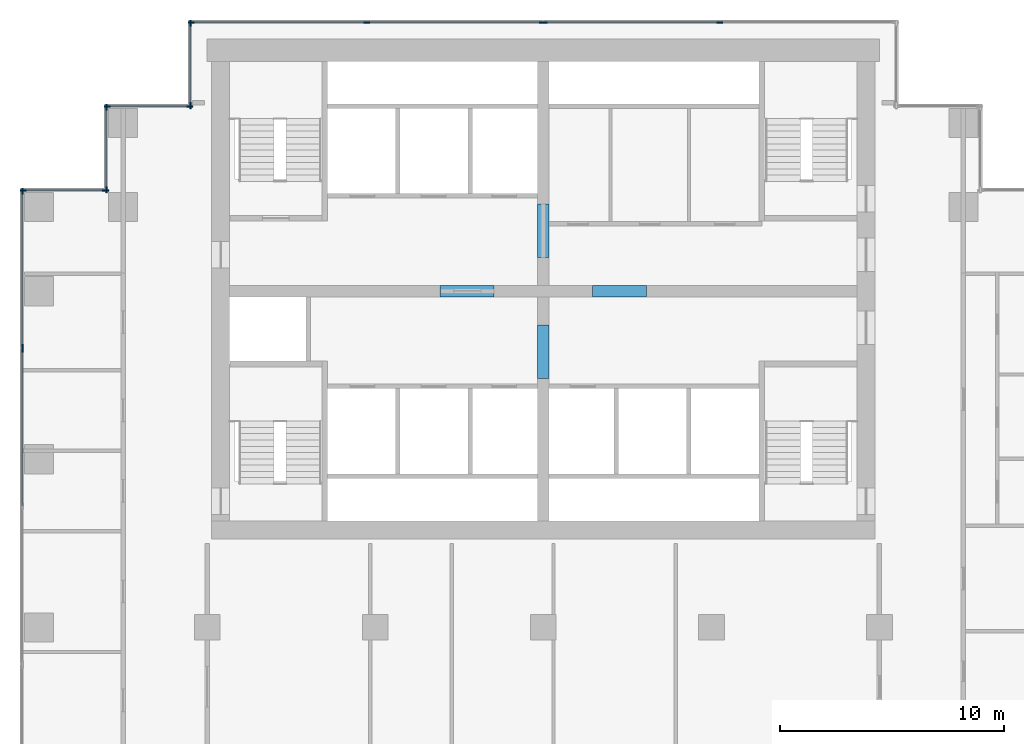
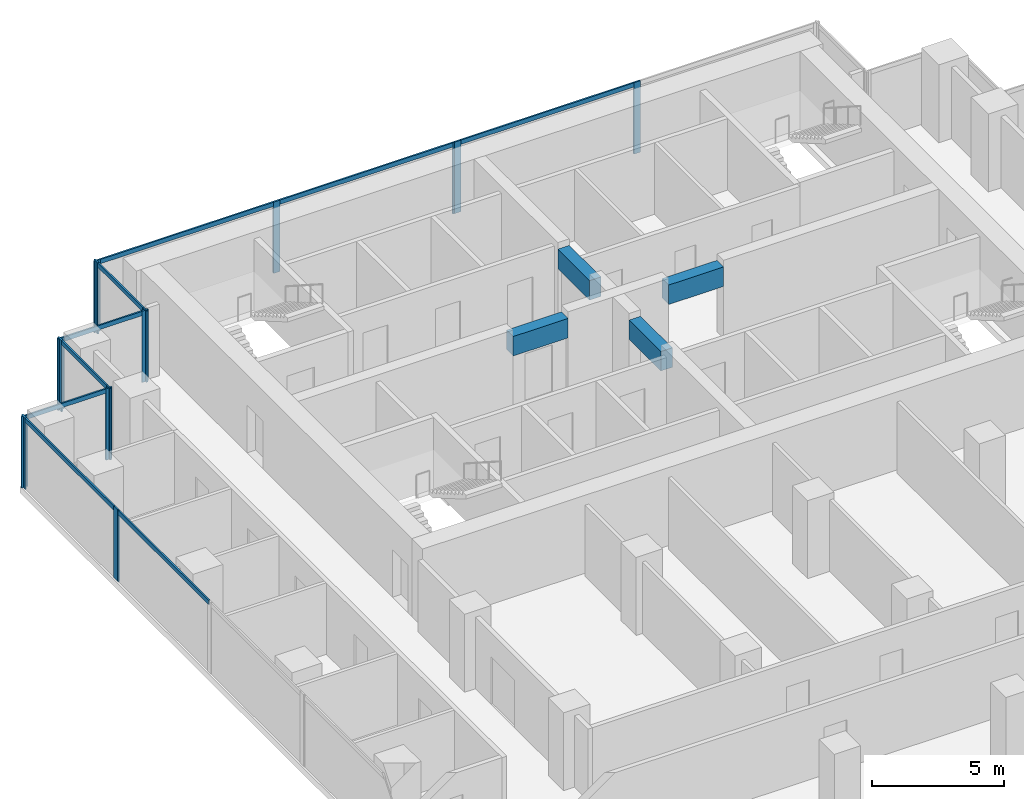
# One storey, part 4 of 10: 25 members, 4 beams, 8 elements without a shape of their own.
"""IFC4 building model written with IfcOpenShell, lengths in metres."""

from ifc_helpers import new_model, si_unit, direction, frame, origin, origin_2d, place, context, subcontext, project, spatial, rectangle, extrude, material, material_profile, profile_set, type_object, element, aggregate, save


model = new_model("IFC4")

# Units and contexts
model_context = context("Model", 3, precision=1e-05, world=origin(), true_north=direction((0.0, 1.0)))
body_context = subcontext(model_context, "Body", "Model", "MODEL_VIEW")
ifc_project = project(units=[si_unit("LENGTHUNIT", "METRE"), si_unit("AREAUNIT", "SQUARE_METRE"), si_unit("VOLUMEUNIT", "CUBIC_METRE"), si_unit("PLANEANGLEUNIT", "RADIAN"), si_unit("MASSUNIT", "GRAM", prefix="KILO")], contexts=[model_context])

# Site, building, storey
site_placement = place(None, origin())
site = spatial("IfcSite", under=ifc_project, at=site_placement, CompositionType="ELEMENT")
building_placement = place(site_placement, origin())
building = spatial("IfcBuilding", under=site, at=building_placement, Name="Pilkhan Gate Tower", CompositionType="ELEMENT")
storey_placement = place(building_placement, frame((0.0, 0.0, 132.39990234375)))
storey = spatial("IfcBuildingStorey", under=building, at=storey_placement, Name="L33", CompositionType="ELEMENT", Elevation=132.39990234375)

# Beams
ifc_material_1 = material(Name="Concrete C60/75", Category="concrete")
ifc_material_profile_1 = material_profile(ifc_material_1, rectangle(XDim=0.5, YDim=0.89990234375, at=origin_2d()), Name="RC 500x900")
ifc_profile_set_1 = profile_set([ifc_material_profile_1], Name="Concrete C60/75")
beam_type = type_object("IfcBeamType", Name="Coupling beam CB90 RC 500x900 C60/75", PredefinedType="LINTEL", material=ifc_profile_set_1)
for number, where, z_axis, x_axis, name in (
    (1, (70.39990234375, 82.5, 2.85009765625), (1.0, 0.0, 0.0), (0.0, 1.0, 0.0), "Coupling beam 1 L33"),
    (2, (77.199951171875, 82.5, 2.85009765625), (1.0, 0.0, 0.0), (0.0, 1.0, 0.0), "Coupling beam 2 L33"),
):
    element("IfcBeam", number, at=place(storey_placement, frame(where, z_axis=z_axis, x_axis=x_axis)), inside=storey, type_object=beam_type, Name=name, PredefinedType="LINTEL", context=body_context, shape_type="SweptSolid", body=[
        extrude(rectangle(XDim=0.5, YDim=0.89990234375, at=origin_2d()), origin(), (0.0, 0.0, 1.0), 2.400146484375),
    ])
for number, where, z_axis, x_axis, name in (
    (3, (75.0, 78.60009765625, 2.85009765625), (0.0, 1.0, 0.0), (-1.0, 0.0, 0.0), "Coupling beam 3 L33"),
    (4, (75.0, 84.0, 2.85009765625), (0.0, 1.0, 0.0), (-1.0, 0.0, 0.0), "Coupling beam 4 L33"),
):
    element("IfcBeam", number, at=place(storey_placement, frame(where, z_axis=z_axis, x_axis=x_axis)), inside=storey, type_object=beam_type, Name=name, PredefinedType="LINTEL", context=body_context, shape_type="SweptSolid", body=[
        extrude(rectangle(XDim=0.5, YDim=0.89990234375, at=origin_2d()), origin(), (0.0, 0.0, 1.0), 2.39990234375),
    ])

# Curtain wall, members
ifc_material_2 = material(Name="Pale anodised aluminium, clear low-iron double glazing", Category="aluminium")
curtain_wall_type = type_object("IfcCurtainWallType", Name="Office unitised curtain wall CW-O1", PredefinedType="USERDEFINED", material=ifc_material_2)
curtain_wall_1_placement = place(storey_placement, origin())
curtain_wall_1 = element("IfcCurtainWall", 5, at=curtain_wall_1_placement, inside=storey, type_object=curtain_wall_type, Name="Office unitised curtain wall CW-O1 L33 N", ObjectType="UNITISED CURTAIN WALL", PredefinedType="USERDEFINED")
ifc_material_3 = material(Name="Pale anodised aluminium", Category="aluminium")
ifc_material_profile_2 = material_profile(ifc_material_3, rectangle(XDim=0.070068359375, YDim=0.27490234375, at=origin_2d()), Name="Mullion 275x70")
ifc_profile_set_2 = profile_set([ifc_material_profile_2], Name="Pale anodised aluminium")
member_type_1 = type_object("IfcMemberType", Name="Mullion CW-O1 275x70", PredefinedType="MULLION", material=ifc_profile_set_2)
member_1_placement = place(storey_placement, frame((59.284912109375, 94.5, 0.0), z_axis=(0.0, 0.0, 1.0), x_axis=(0.0, 1.0, 0.0)))
member_1 = element("IfcMember", 6, at=member_1_placement, type_object=member_type_1, Name="CW-O1 mullion 1", PredefinedType="MULLION", context=body_context, shape_type="SweptSolid", body=[
    extrude(rectangle(XDim=0.070068359375, YDim=0.27490234375, at=origin_2d()), origin(), (0.0, 0.0, 1.0), 3.300048828125),
])
member_2_placement = place(storey_placement, frame((67.125, 94.5, 0.0), z_axis=(0.0, 0.0, 1.0), x_axis=(0.0, 1.0, 0.0)))
member_2 = element("IfcMember", 7, at=member_2_placement, type_object=member_type_1, Name="CW-O1 mullion 2", PredefinedType="MULLION", context=body_context, shape_type="SweptSolid", body=[
    extrude(rectangle(XDim=0.070068359375, YDim=0.27490234375, at=origin_2d()), origin(), (0.0, 0.0, 1.0), 3.300048828125),
])
member_3_placement = place(storey_placement, frame((74.965087890625, 94.5, 0.0), z_axis=(0.0, 0.0, 1.0), x_axis=(0.0, 1.0, 0.0)))
member_3 = element("IfcMember", 8, at=member_3_placement, type_object=member_type_1, Name="CW-O1 mullion 3", PredefinedType="MULLION", context=body_context, shape_type="SweptSolid", body=[
    extrude(rectangle(XDim=0.070068359375, YDim=0.27490234375, at=origin_2d()), origin(), (0.0, 0.0, 1.0), 3.300048828125),
])

curtain_wall_2_placement = place(storey_placement, origin())
curtain_wall_2 = element("IfcCurtainWall", 9, at=curtain_wall_2_placement, inside=storey, type_object=curtain_wall_type, Name="Office unitised curtain wall CW-O1 L33 N", ObjectType="UNITISED CURTAIN WALL", PredefinedType="USERDEFINED")
member_4_placement = place(storey_placement, frame((75.034912109375, 94.5, 0.0), z_axis=(0.0, 0.0, 1.0), x_axis=(0.0, 1.0, 0.0)))
member_4 = element("IfcMember", 10, at=member_4_placement, type_object=member_type_1, Name="CW-O1 mullion 1", PredefinedType="MULLION", context=body_context, shape_type="SweptSolid", body=[
    extrude(rectangle(XDim=0.070068359375, YDim=0.27490234375, at=origin_2d()), origin(), (0.0, 0.0, 1.0), 3.300048828125),
])
member_5_placement = place(storey_placement, frame((82.875, 94.5, 0.0), z_axis=(0.0, 0.0, 1.0), x_axis=(0.0, 1.0, 0.0)))
member_5 = element("IfcMember", 11, at=member_5_placement, type_object=member_type_1, Name="CW-O1 mullion 2", PredefinedType="MULLION", context=body_context, shape_type="SweptSolid", body=[
    extrude(rectangle(XDim=0.070068359375, YDim=0.27490234375, at=origin_2d()), origin(), (0.0, 0.0, 1.0), 3.300048828125),
])

curtain_wall_3_placement = place(storey_placement, origin())
curtain_wall_3 = element("IfcCurtainWall", 12, at=curtain_wall_3_placement, inside=storey, type_object=curtain_wall_type, Name="Office unitised curtain wall CW-O1 L33 W", ObjectType="UNITISED CURTAIN WALL", PredefinedType="USERDEFINED")
member_6_placement = place(storey_placement, frame((59.25, 90.784912109375, 0.0), z_axis=(0.0, 0.0, 1.0), x_axis=(-1.0, 0.0, 0.0)))
member_6 = element("IfcMember", 13, at=member_6_placement, type_object=member_type_1, Name="CW-O1 mullion 1", PredefinedType="MULLION", context=body_context, shape_type="SweptSolid", body=[
    extrude(rectangle(XDim=0.070068359375, YDim=0.27490234375, at=origin_2d()), origin(), (0.0, 0.0, 1.0), 3.300048828125),
])
member_7_placement = place(storey_placement, frame((59.25, 94.465087890625, 0.0), z_axis=(0.0, 0.0, 1.0), x_axis=(-1.0, 0.0, 0.0)))
member_7 = element("IfcMember", 14, at=member_7_placement, type_object=member_type_1, Name="CW-O1 mullion 2", PredefinedType="MULLION", context=body_context, shape_type="SweptSolid", body=[
    extrude(rectangle(XDim=0.070068359375, YDim=0.27490234375, at=origin_2d()), origin(), (0.0, 0.0, 1.0), 3.300048828125),
])

curtain_wall_4_placement = place(storey_placement, origin())
curtain_wall_4 = element("IfcCurtainWall", 15, at=curtain_wall_4_placement, inside=storey, type_object=curtain_wall_type, Name="Office unitised curtain wall CW-O1 L33 N", ObjectType="UNITISED CURTAIN WALL", PredefinedType="USERDEFINED")
member_8_placement = place(storey_placement, frame((55.534912109375, 90.75, 0.0), z_axis=(0.0, 0.0, 1.0), x_axis=(0.0, 1.0, 0.0)))
member_8 = element("IfcMember", 16, at=member_8_placement, type_object=member_type_1, Name="CW-O1 mullion 1", PredefinedType="MULLION", context=body_context, shape_type="SweptSolid", body=[
    extrude(rectangle(XDim=0.070068359375, YDim=0.27490234375, at=origin_2d()), origin(), (0.0, 0.0, 1.0), 3.300048828125),
])
member_9_placement = place(storey_placement, frame((59.215087890625, 90.75, 0.0), z_axis=(0.0, 0.0, 1.0), x_axis=(0.0, 1.0, 0.0)))
member_9 = element("IfcMember", 17, at=member_9_placement, type_object=member_type_1, Name="CW-O1 mullion 2", PredefinedType="MULLION", context=body_context, shape_type="SweptSolid", body=[
    extrude(rectangle(XDim=0.070068359375, YDim=0.27490234375, at=origin_2d()), origin(), (0.0, 0.0, 1.0), 3.300048828125),
])

curtain_wall_5_placement = place(storey_placement, origin())
curtain_wall_5 = element("IfcCurtainWall", 18, at=curtain_wall_5_placement, inside=storey, type_object=curtain_wall_type, Name="Office unitised curtain wall CW-O1 L33 W", ObjectType="UNITISED CURTAIN WALL", PredefinedType="USERDEFINED")
member_10_placement = place(storey_placement, frame((55.5, 87.034912109375, 0.0), z_axis=(0.0, 0.0, 1.0), x_axis=(-1.0, 0.0, 0.0)))
member_10 = element("IfcMember", 19, at=member_10_placement, type_object=member_type_1, Name="CW-O1 mullion 1", PredefinedType="MULLION", context=body_context, shape_type="SweptSolid", body=[
    extrude(rectangle(XDim=0.070068359375, YDim=0.27490234375, at=origin_2d()), origin(), (0.0, 0.0, 1.0), 3.300048828125),
])
member_11_placement = place(storey_placement, frame((55.5, 90.715087890625, 0.0), z_axis=(0.0, 0.0, 1.0), x_axis=(-1.0, 0.0, 0.0)))
member_11 = element("IfcMember", 20, at=member_11_placement, type_object=member_type_1, Name="CW-O1 mullion 2", PredefinedType="MULLION", context=body_context, shape_type="SweptSolid", body=[
    extrude(rectangle(XDim=0.070068359375, YDim=0.27490234375, at=origin_2d()), origin(), (0.0, 0.0, 1.0), 3.300048828125),
])

curtain_wall_6_placement = place(storey_placement, origin())
curtain_wall_6 = element("IfcCurtainWall", 21, at=curtain_wall_6_placement, inside=storey, type_object=curtain_wall_type, Name="Office unitised curtain wall CW-O1 L33 N", ObjectType="UNITISED CURTAIN WALL", PredefinedType="USERDEFINED")
member_12_placement = place(storey_placement, frame((51.784912109375, 87.0, 0.0), z_axis=(0.0, 0.0, 1.0), x_axis=(0.0, 1.0, 0.0)))
member_12 = element("IfcMember", 22, at=member_12_placement, type_object=member_type_1, Name="CW-O1 mullion 1", PredefinedType="MULLION", context=body_context, shape_type="SweptSolid", body=[
    extrude(rectangle(XDim=0.070068359375, YDim=0.27490234375, at=origin_2d()), origin(), (0.0, 0.0, 1.0), 3.300048828125),
])
member_13_placement = place(storey_placement, frame((55.465087890625, 87.0, 0.0), z_axis=(0.0, 0.0, 1.0), x_axis=(0.0, 1.0, 0.0)))
member_13 = element("IfcMember", 23, at=member_13_placement, type_object=member_type_1, Name="CW-O1 mullion 2", PredefinedType="MULLION", context=body_context, shape_type="SweptSolid", body=[
    extrude(rectangle(XDim=0.070068359375, YDim=0.27490234375, at=origin_2d()), origin(), (0.0, 0.0, 1.0), 3.300048828125),
])

# Curtain wall, member
curtain_wall_7_placement = place(storey_placement, origin())
curtain_wall_7 = element("IfcCurtainWall", 24, at=curtain_wall_7_placement, inside=storey, type_object=curtain_wall_type, Name="Office unitised curtain wall CW-O1 L33 W", ObjectType="UNITISED CURTAIN WALL", PredefinedType="USERDEFINED")
member_14_placement = place(storey_placement, frame((51.75, 79.9150390625, 0.0), z_axis=(0.0, 0.0, 1.0), x_axis=(-1.0, 0.0, 0.0)))
member_14 = element("IfcMember", 25, at=member_14_placement, type_object=member_type_1, Name="CW-O1 mullion 3", PredefinedType="MULLION", context=body_context, shape_type="SweptSolid", body=[
    extrude(rectangle(XDim=0.070068359375, YDim=0.27490234375, at=origin_2d()), origin(), (0.0, 0.0, 1.0), 3.300048828125),
])

# Curtain wall, members
curtain_wall_8_placement = place(storey_placement, origin())
curtain_wall_8 = element("IfcCurtainWall", 26, at=curtain_wall_8_placement, inside=storey, type_object=curtain_wall_type, Name="Office unitised curtain wall CW-O1 L33 W", ObjectType="UNITISED CURTAIN WALL", PredefinedType="USERDEFINED")
member_15_placement = place(storey_placement, frame((51.75, 79.985107421875, 0.0), z_axis=(0.0, 0.0, 1.0), x_axis=(-1.0, 0.0, 0.0)))
member_15 = element("IfcMember", 27, at=member_15_placement, type_object=member_type_1, Name="CW-O1 mullion 1", PredefinedType="MULLION", context=body_context, shape_type="SweptSolid", body=[
    extrude(rectangle(XDim=0.070068359375, YDim=0.27490234375, at=origin_2d()), origin(), (0.0, 0.0, 1.0), 3.300048828125),
])
member_16_placement = place(storey_placement, frame((51.75, 86.965087890625, 0.0), z_axis=(0.0, 0.0, 1.0), x_axis=(-1.0, 0.0, 0.0)))
member_16 = element("IfcMember", 28, at=member_16_placement, type_object=member_type_1, Name="CW-O1 mullion 2", PredefinedType="MULLION", context=body_context, shape_type="SweptSolid", body=[
    extrude(rectangle(XDim=0.070068359375, YDim=0.27490234375, at=origin_2d()), origin(), (0.0, 0.0, 1.0), 3.300048828125),
])

# Member
ifc_material_profile_3 = material_profile(ifc_material_3, rectangle(XDim=0.070068359375, YDim=0.199951171875, at=origin_2d()), Name="Transom 200x70")
ifc_profile_set_3 = profile_set([ifc_material_profile_3], Name="Pale anodised aluminium")
member_type_2 = type_object("IfcMemberType", Name="Transom CW-O1 200x70", PredefinedType="USERDEFINED", material=ifc_profile_set_3)
member_17_placement = place(storey_placement, frame((59.320068359375, 94.5, 3.2001953125), z_axis=(1.0, 0.0, 0.0), x_axis=(0.0, 1.0, 0.0)))
member_17 = element("IfcMember", 29, at=member_17_placement, type_object=member_type_2, Name="CW-O1 transom 1", ObjectType="TRANSOM", PredefinedType="USERDEFINED", context=body_context, shape_type="SweptSolid", body=[
    extrude(rectangle(XDim=0.070068359375, YDim=0.199951171875, at=origin_2d()), origin(), (0.0, 0.0, 1.0), 7.77001953125),
])

member_18_placement = place(storey_placement, frame((67.159912109375, 94.5, 3.2001953125), z_axis=(1.0, 0.0, 0.0), x_axis=(0.0, 1.0, 0.0)))
member_18 = element("IfcMember", 30, at=member_18_placement, type_object=member_type_2, Name="CW-O1 transom 2", ObjectType="TRANSOM", PredefinedType="USERDEFINED", context=body_context, shape_type="SweptSolid", body=[
    extrude(rectangle(XDim=0.070068359375, YDim=0.199951171875, at=origin_2d()), origin(), (0.0, 0.0, 1.0), 7.77001953125),
])

aggregate(curtain_wall_1, [member_1, member_2, member_3, member_17, member_18])

member_19_placement = place(storey_placement, frame((75.070068359375, 94.5, 3.2001953125), z_axis=(1.0, 0.0, 0.0), x_axis=(0.0, 1.0, 0.0)))
member_19 = element("IfcMember", 31, at=member_19_placement, type_object=member_type_2, Name="CW-O1 transom 1", ObjectType="TRANSOM", PredefinedType="USERDEFINED", context=body_context, shape_type="SweptSolid", body=[
    extrude(rectangle(XDim=0.070068359375, YDim=0.199951171875, at=origin_2d()), origin(), (0.0, 0.0, 1.0), 7.77001953125),
])

aggregate(curtain_wall_2, [member_4, member_5, member_19])

member_20_placement = place(storey_placement, frame((59.25, 90.820068359375, 3.2001953125), z_axis=(0.0, 1.0, 0.0), x_axis=(-1.0, 0.0, 0.0)))
member_20 = element("IfcMember", 32, at=member_20_placement, type_object=member_type_2, Name="CW-O1 transom 1", ObjectType="TRANSOM", PredefinedType="USERDEFINED", context=body_context, shape_type="SweptSolid", body=[
    extrude(rectangle(XDim=0.070068359375, YDim=0.199951171875, at=origin_2d()), origin(), (0.0, 0.0, 1.0), 3.60986328125),
])

aggregate(curtain_wall_3, [member_6, member_7, member_20])

member_21_placement = place(storey_placement, frame((55.570068359375, 90.75, 3.2001953125), z_axis=(1.0, 0.0, 0.0), x_axis=(0.0, 1.0, 0.0)))
member_21 = element("IfcMember", 33, at=member_21_placement, type_object=member_type_2, Name="CW-O1 transom 1", ObjectType="TRANSOM", PredefinedType="USERDEFINED", context=body_context, shape_type="SweptSolid", body=[
    extrude(rectangle(XDim=0.070068359375, YDim=0.199951171875, at=origin_2d()), origin(), (0.0, 0.0, 1.0), 3.60986328125),
])

aggregate(curtain_wall_4, [member_8, member_9, member_21])

member_22_placement = place(storey_placement, frame((55.5, 87.070068359375, 3.2001953125), z_axis=(0.0, 1.0, 0.0), x_axis=(-1.0, 0.0, 0.0)))
member_22 = element("IfcMember", 34, at=member_22_placement, type_object=member_type_2, Name="CW-O1 transom 1", ObjectType="TRANSOM", PredefinedType="USERDEFINED", context=body_context, shape_type="SweptSolid", body=[
    extrude(rectangle(XDim=0.070068359375, YDim=0.199951171875, at=origin_2d()), origin(), (0.0, 0.0, 1.0), 3.60986328125),
])

aggregate(curtain_wall_5, [member_10, member_11, member_22])

member_23_placement = place(storey_placement, frame((51.820068359375, 87.0, 3.2001953125), z_axis=(1.0, 0.0, 0.0), x_axis=(0.0, 1.0, 0.0)))
member_23 = element("IfcMember", 35, at=member_23_placement, type_object=member_type_2, Name="CW-O1 transom 1", ObjectType="TRANSOM", PredefinedType="USERDEFINED", context=body_context, shape_type="SweptSolid", body=[
    extrude(rectangle(XDim=0.070068359375, YDim=0.199951171875, at=origin_2d()), origin(), (0.0, 0.0, 1.0), 3.60986328125),
])

aggregate(curtain_wall_6, [member_12, member_13, member_23])

member_24_placement = place(storey_placement, frame((51.75, 72.93505859375, 3.2001953125), z_axis=(0.0, 1.0, 0.0), x_axis=(-1.0, 0.0, 0.0)))
member_24 = element("IfcMember", 36, at=member_24_placement, type_object=member_type_2, Name="CW-O1 transom 2", ObjectType="TRANSOM", PredefinedType="USERDEFINED", context=body_context, shape_type="SweptSolid", body=[
    extrude(rectangle(XDim=0.070068359375, YDim=0.199951171875, at=origin_2d()), origin(), (0.0, 0.0, 1.0), 6.94482421875),
])

aggregate(curtain_wall_7, [member_14, member_24])

member_25_placement = place(storey_placement, frame((51.75, 80.02001953125, 3.2001953125), z_axis=(0.0, 1.0, 0.0), x_axis=(-1.0, 0.0, 0.0)))
member_25 = element("IfcMember", 37, at=member_25_placement, type_object=member_type_2, Name="CW-O1 transom 1", ObjectType="TRANSOM", PredefinedType="USERDEFINED", context=body_context, shape_type="SweptSolid", body=[
    extrude(rectangle(XDim=0.070068359375, YDim=0.199951171875, at=origin_2d()), origin(), (0.0, 0.0, 1.0), 6.909912109375),
])

aggregate(curtain_wall_8, [member_15, member_16, member_25])

save(model, "model.ifc")
